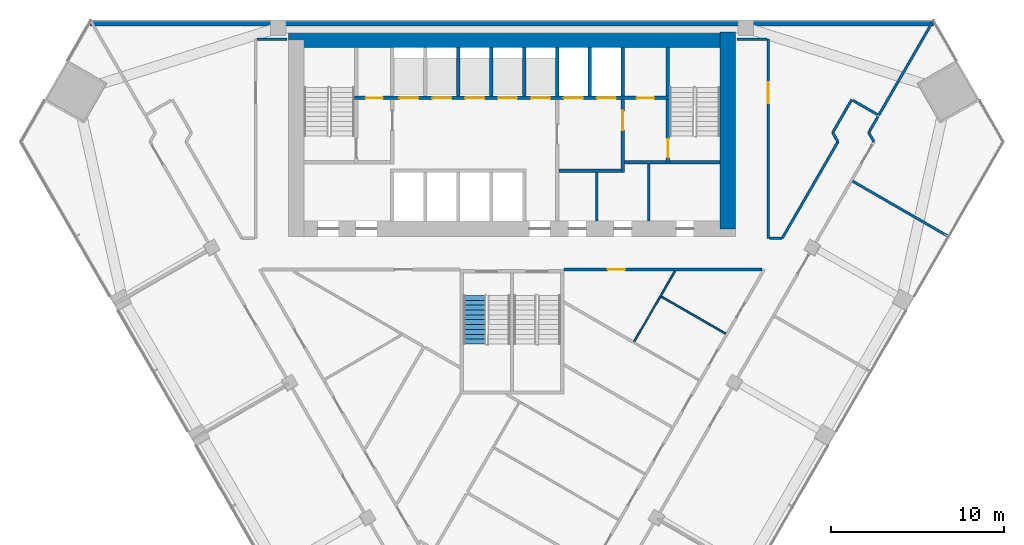
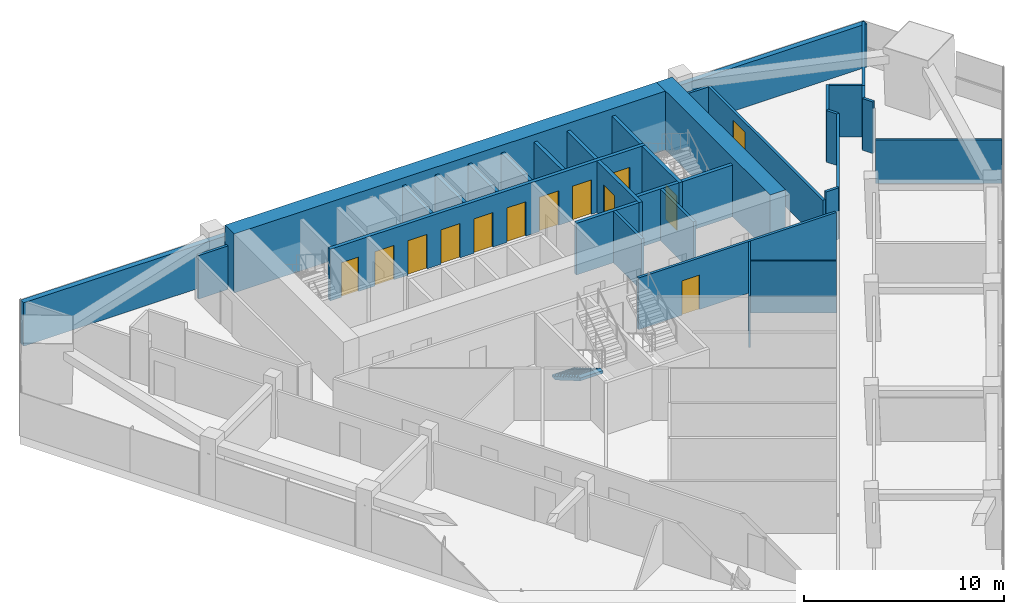
# One storey, part 11 of 14: 33 walls, 13 doors, 1 stair flight, 13 openings, 1 element without a shape of its own.
"""IFC4 building model written with IfcOpenShell, lengths in metres."""

from ifc_helpers import new_model, si_unit, direction, frame, frame_2d, origin, place, context, subcontext, project, spatial, polyline, rectangle, outline, extrude, material, layer, layer_set, type_object, element, fill, aggregate, save


model = new_model("IFC4")

# Units and contexts
model_context = context("Model", 3, precision=1e-05, world=origin(), true_north=direction((0.0, 1.0)))
body_context = subcontext(model_context, "Body", "Model", "MODEL_VIEW")
ifc_project = project(units=[si_unit("LENGTHUNIT", "METRE"), si_unit("AREAUNIT", "SQUARE_METRE"), si_unit("VOLUMEUNIT", "CUBIC_METRE"), si_unit("PLANEANGLEUNIT", "RADIAN"), si_unit("MASSUNIT", "GRAM", prefix="KILO")], contexts=[model_context])

# Site, building, storey
site_placement = place(None, origin())
site = spatial("IfcSite", under=ifc_project, at=site_placement, CompositionType="ELEMENT")
building_placement = place(site_placement, origin())
building = spatial("IfcBuilding", under=site, at=building_placement, Name="Altiplano Prism Tower", CompositionType="ELEMENT")
storey_placement = place(building_placement, frame((0.0, 0.0, 115.199951171875)))
storey = spatial("IfcBuildingStorey", under=building, at=storey_placement, Name="L29", CompositionType="ELEMENT", Elevation=115.199951171875)

# Walls
ifc_material_1 = material(Name="Concrete C70/85", Category="concrete")
ifc_layer_1 = layer(ifc_material_1, 0.89990234375)
ifc_layer_set_1 = layer_set([ifc_layer_1], Name="Concrete C70/85")
wall_type_1 = type_object("IfcWallType", Name="Core wall 900", PredefinedType="SHEAR", material=ifc_layer_set_1)
wall_1_placement = place(storey_placement, frame((97.449951171875, 92.949951171875, 0.0), z_axis=(0.0, 0.0, 1.0), x_axis=(0.0, 1.0, 0.0)))
element("IfcWall", 1, at=wall_1_placement, inside=storey, type_object=wall_type_1, Name="Core wall E L29", PredefinedType="SHEAR", context=body_context, shape_type="SweptSolid", body=[
    extrude(rectangle(XDim=11.35009765625, YDim=0.89990234375, at=frame_2d((5.675048828125, 0.0))), origin(), (0.0, 0.0, 1.0), 3.60009765625),
])
wall_2_placement = place(storey_placement, frame((97.449951171875, 103.85009765625, 0.0), z_axis=(0.0, 0.0, 1.0), x_axis=(-1.0, 0.0, 0.0)))
element("IfcWall", 2, at=wall_2_placement, inside=storey, type_object=wall_type_1, Name="Core wall N L29", PredefinedType="SHEAR", context=body_context, shape_type="SweptSolid", body=[
    extrude(rectangle(XDim=25.349853515625, YDim=0.89990234375, at=frame_2d((12.6748046875, 0.0))), origin(), (0.0, 0.0, 1.0), 3.60009765625),
])
ifc_material_2 = material(Name="Plasterboard on steel stud", Category="steel")
ifc_layer_2 = layer(ifc_material_2, 0.10009765625)
ifc_layer_set_2 = layer_set([ifc_layer_2], Name="Plasterboard on steel stud")
wall_type_2 = type_object("IfcWallType", Name="Partition 100 wet", PredefinedType="PARTITIONING", material=ifc_layer_set_2)
wall_3_placement = place(storey_placement, frame((93.61279296875, 89.0390625, 0.0), z_axis=(0.0, 0.0, 1.0), x_axis=(0.866011257965, -0.500024500477, 0.0)))
element("IfcWall", 3, at=wall_3_placement, inside=storey, type_object=wall_type_2, Name="Partition P03 L29 026", PredefinedType="PARTITIONING", context=body_context, shape_type="SweptSolid", body=[
    extrude(rectangle(XDim=4.291259765625, YDim=0.10009765625, at=frame_2d((2.1455078125, 0.0))), origin(), (0.0, 0.0, 1.0), 3.150146484375),
])
wall_4_placement = place(storey_placement, frame((94.398193359375, 90.49951171875, 0.0), z_axis=(0.0, 0.0, 1.0), x_axis=(-0.499988433238, -0.866032081755, 0.0)))
element("IfcWall", 4, at=wall_4_placement, inside=storey, type_object=wall_type_2, Name="Partition P03 L29 027", PredefinedType="PARTITIONING", context=body_context, shape_type="SweptSolid", body=[
    extrude(rectangle(XDim=4.74072265625, YDim=0.10009765625, at=frame_2d((2.370361328125, 0.0))), origin(), (0.0, 0.0, 1.0), 3.150146484375),
])

# Wall, opening, door
ifc_layer_3 = layer(ifc_material_2, 0.14990234375)
ifc_layer_set_3 = layer_set([ifc_layer_3], Name="Plasterboard on steel stud")
wall_type_3 = type_object("IfcWallType", Name="Partition 150 corridor", PredefinedType="PARTITIONING", material=ifc_layer_set_3)
wall_5_placement = place(storey_placement, frame((88.0, 90.59912109375, 0.0), z_axis=(0.0, 0.0, 1.0), x_axis=(0.999999996347, 8.5470085e-05, 0.0)))
wall_5 = element("IfcWall", 5, at=wall_5_placement, inside=storey, type_object=wall_type_3, Name="Partition P06 L29 002", PredefinedType="PARTITIONING", context=body_context, shape_type="SweptSolid", body=[
    extrude(rectangle(XDim=11.42578125, YDim=0.14990234375, at=frame_2d((5.712890625, 0.0))), origin(), (0.0, 0.0, 1.0), 3.150146484375),
])
opening_1_placement = place(wall_5_placement, frame((2.52490234375, 0.0, 0.0)))
opening_1 = element("IfcOpeningElement", 6, at=opening_1_placement, cuts=wall_5, Name="Opening D1048", PredefinedType="OPENING", context=body_context, shape_type="SweptSolid", body=[
    extrude(rectangle(XDim=1.0, YDim=2.10009765625, at=frame_2d((0.5, 1.050048828125))), frame((0.0, 0.08544921875, 0.0), z_axis=(0.0, -1.0, 0.0), x_axis=(1.0, 0.0, 0.0)), (0.0, 0.0, 1.0), 0.1708984375),
])
ifc_material_3 = material(Name="Timber", Category="wood")
door_type_1 = type_object("IfcDoorType", Name="Store door 1000 x 2100", OperationType="NOTDEFINED", PredefinedType="NOTDEFINED", material=ifc_material_3)
door_1_placement = place(opening_1_placement, origin())
door_1 = element("IfcDoor", 7, at=door_1_placement, inside=storey, type_object=door_type_1, Name="Door D1048", OperationType="SINGLE_SWING_RIGHT", OverallHeight=2.10009765625, OverallWidth=1.0, PredefinedType="NOTDEFINED", context=body_context, shape_type="SweptSolid", body=[
    extrude(rectangle(XDim=1.0, YDim=2.10009765625, at=frame_2d((0.5, 1.050048828125))), frame((0.0, 0.02490234375, 0.0), z_axis=(0.0, -1.0, 0.0), x_axis=(1.0, 0.0, 0.0)), (0.0, 0.0, 1.0), 0.050048828125),
])
fill(opening_1, door_1)

# Walls
wall_6_placement = place(storey_placement, frame((105.890869140625, 97.972900390625, 0.0), z_axis=(0.0, 0.0, 1.0), x_axis=(-0.499849787464, 0.866112111665, 0.0)))
element("IfcWall", 8, at=wall_6_placement, inside=storey, type_object=wall_type_3, Name="Partition P06 L29 008", PredefinedType="PARTITIONING", context=body_context, shape_type="SweptSolid", body=[
    extrude(rectangle(XDim=0.608642578125, YDim=0.14990234375, at=frame_2d((0.30419921875, 0.0))), origin(), (0.0, 0.0, 1.0), 3.150146484375),
])
wall_7_placement = place(storey_placement, frame((105.586669921875, 98.5, 0.0), z_axis=(0.0, 0.0, 1.0), x_axis=(0.499957341738, 0.866050031143, 0.0)))
element("IfcWall", 9, at=wall_7_placement, inside=storey, type_object=wall_type_3, Name="Partition P06 L29 009", PredefinedType="PARTITIONING", context=body_context, shape_type="SweptSolid", body=[
    extrude(rectangle(XDim=1.07958984375, YDim=0.14990234375, at=frame_2d((0.539794921875, 0.0))), origin(), (0.0, 0.0, 1.0), 3.150146484375),
])
wall_8_placement = place(storey_placement, frame((106.098876953125, 99.53759765625, 0.0), z_axis=(0.0, 0.0, 1.0), x_axis=(-0.866040211805, 0.499974350878, 0.0)))
element("IfcWall", 10, at=wall_8_placement, inside=storey, type_object=wall_type_3, Name="Partition P06 L29 010", PredefinedType="PARTITIONING", context=body_context, shape_type="SweptSolid", body=[
    extrude(rectangle(XDim=1.64990234375, YDim=0.14990234375, at=frame_2d((0.824951171875, 0.0))), origin(), (0.0, 0.0, 1.0), 3.150146484375),
])
wall_9_placement = place(storey_placement, frame((104.60498046875, 100.39990234375, 0.0), z_axis=(0.0, 0.0, 1.0), x_axis=(-0.500005024956, -0.866022502605, 0.0)))
element("IfcWall", 11, at=wall_9_placement, inside=storey, type_object=wall_type_3, Name="Partition P06 L29 011", PredefinedType="PARTITIONING", context=body_context, shape_type="SweptSolid", body=[
    extrude(rectangle(XDim=2.19384765625, YDim=0.14990234375, at=frame_2d((1.096923828125, 0.0))), origin(), (0.0, 0.0, 1.0), 3.150146484375),
])
wall_10_placement = place(storey_placement, frame((103.508056640625, 98.5, 0.0), z_axis=(0.0, 0.0, 1.0), x_axis=(0.50015062987, -0.86593842012, 0.0)))
element("IfcWall", 12, at=wall_10_placement, inside=storey, type_object=wall_type_3, Name="Partition P06 L29 012", PredefinedType="PARTITIONING", context=body_context, shape_type="SweptSolid", body=[
    extrude(rectangle(XDim=0.608642578125, YDim=0.14990234375, at=frame_2d((0.30419921875, 0.0))), origin(), (0.0, 0.0, 1.0), 3.150146484375),
])
wall_11_placement = place(storey_placement, frame((103.8125, 97.972900390625, 0.0), z_axis=(0.0, 0.0, 1.0), x_axis=(-0.499995032058, -0.866028272008, 0.0)))
element("IfcWall", 13, at=wall_11_placement, inside=storey, type_object=wall_type_3, Name="Partition P06 L29 013", PredefinedType="PARTITIONING", context=body_context, shape_type="SweptSolid", body=[
    extrude(rectangle(XDim=6.43505859375, YDim=0.14990234375, at=frame_2d((3.217529296875, 0.0))), origin(), (0.0, 0.0, 1.0), 3.150146484375),
])
wall_12_placement = place(storey_placement, frame((100.594970703125, 92.39990234375, 0.0), z_axis=(0.0, 0.0, 1.0), x_axis=(-1.0, 0.0, 0.0)))
element("IfcWall", 14, at=wall_12_placement, inside=storey, type_object=wall_type_3, Name="Partition P06 L29 014", PredefinedType="PARTITIONING", context=body_context, shape_type="SweptSolid", body=[
    extrude(rectangle(XDim=0.719970703125, YDim=0.14990234375, at=frame_2d((0.35986328125, 0.0))), origin(), (0.0, 0.0, 1.0), 3.150146484375),
])

# Wall, opening, door
wall_13_placement = place(storey_placement, frame((99.800048828125, 92.39990234375, 0.0), z_axis=(0.0, 0.0, 1.0), x_axis=(0.0, 1.0, 0.0)))
wall_13 = element("IfcWall", 15, at=wall_13_placement, inside=storey, type_object=wall_type_3, Name="Partition P06 L29 015", PredefinedType="PARTITIONING", context=body_context, shape_type="SweptSolid", body=[
    extrude(rectangle(XDim=11.5, YDim=0.14990234375, at=frame_2d((5.75, 0.0))), origin(), (0.0, 0.0, 1.0), 2.650146484375),
])
opening_2_placement = place(wall_13_placement, frame((7.804931640625, 0.0, 0.0)))
opening_2 = element("IfcOpeningElement", 16, at=opening_2_placement, cuts=wall_13, Name="Opening D1059", PredefinedType="OPENING", context=body_context, shape_type="SweptSolid", body=[
    extrude(rectangle(XDim=1.199951171875, YDim=2.10009765625, at=frame_2d((0.60009765625, 1.050048828125))), frame((0.0, 0.08544921875, 0.0), z_axis=(0.0, -1.0, 0.0), x_axis=(1.0, 0.0, 0.0)), (0.0, 0.0, 1.0), 0.1708984375),
])
door_type_2 = type_object("IfcDoorType", Name="Shared room door 1200 x 2100", OperationType="NOTDEFINED", PredefinedType="NOTDEFINED", material=ifc_material_3)
door_2_placement = place(opening_2_placement, origin())
door_2 = element("IfcDoor", 17, at=door_2_placement, inside=storey, type_object=door_type_2, Name="Door D1059", OperationType="SINGLE_SWING_LEFT", OverallHeight=2.10009765625, OverallWidth=1.199951171875, PredefinedType="NOTDEFINED", context=body_context, shape_type="SweptSolid", body=[
    extrude(rectangle(XDim=1.199951171875, YDim=2.10009765625, at=frame_2d((0.60009765625, 1.050048828125))), frame((0.0, 0.02490234375, 0.0), z_axis=(0.0, -1.0, 0.0), x_axis=(1.0, 0.0, 0.0)), (0.0, 0.0, 1.0), 0.050048828125),
])
fill(opening_2, door_2)

# Walls
for number, where, z_axis, x_axis, name in (
    (18, (99.72509765625, 103.89990234375, 0.0), (0.0, 0.0, 1.0), (-1.0, 0.0, 0.0), "Partition P06 L29 016"),
    (19, (72.0, 103.89990234375, 0.0), (0.0, 0.0, 1.0), (-1.0, 0.0, 0.0), "Partition P06 L29 017"),
):
    element("IfcWall", number, at=place(storey_placement, frame(where, z_axis=z_axis, x_axis=x_axis)), inside=storey, type_object=wall_type_3, Name=name, PredefinedType="PARTITIONING", context=body_context, shape_type="SweptSolid", body=[
        extrude(rectangle(XDim=1.72509765625, YDim=0.14990234375, at=frame_2d((0.862548828125, 0.0))), origin(), (0.0, 0.0, 1.0), 2.650146484375),
    ])
ifc_layer_4 = layer(ifc_material_2, 0.14990234375)
ifc_layer_set_4 = layer_set([ifc_layer_4], Name="Plasterboard on steel stud")
wall_type_4 = type_object("IfcWallType", Name="Partition 150 party", PredefinedType="PARTITIONING", material=ifc_layer_set_4)
wall_14_placement = place(storey_placement, frame((110.14013671875, 92.532958984375, 0.0), z_axis=(0.0, 0.0, 1.0), x_axis=(-0.866032601554, 0.49998753289, 0.0)))
element("IfcWall", 20, at=wall_14_placement, inside=storey, type_object=wall_type_4, Name="Partition P01 L29 042", PredefinedType="PARTITIONING", context=body_context, shape_type="SweptSolid", body=[
    extrude(rectangle(XDim=6.324951171875, YDim=0.14990234375, at=frame_2d((3.16259765625, 0.0))), origin(), (0.0, 0.0, 1.0), 2.650146484375),
])
wall_15_placement = place(storey_placement, frame((109.281494140625, 104.89990234375, 0.0), z_axis=(0.0, 0.0, 1.0), x_axis=(-0.500004896655, -0.866022576681, 0.0)))
element("IfcWall", 21, at=wall_15_placement, inside=storey, type_object=wall_type_4, Name="Partition P01 L29 043", PredefinedType="PARTITIONING", context=body_context, shape_type="SweptSolid", body=[
    extrude(rectangle(XDim=6.2353515625, YDim=0.14990234375, at=frame_2d((3.11767578125, 0.0))), origin(), (0.0, 0.0, 1.0), 2.650146484375),
])
ifc_material_4 = material(Name="Fire-rated gypsum board partition")
ifc_layer_5 = layer(ifc_material_4, 0.14990234375)
ifc_layer_set_5 = layer_set([ifc_layer_5], Name="Fire-rated gypsum board partition")
wall_type_5 = type_object("IfcWallType", Name="Room partition 150", PredefinedType="PARTITIONING", material=ifc_layer_set_5)
wall_16_placement = place(storey_placement, frame((89.89990234375, 93.39990234375, 0.0), z_axis=(0.0, 0.0, 1.0), x_axis=(0.0, 1.0, 0.0)))
element("IfcWall", 22, at=wall_16_placement, inside=storey, type_object=wall_type_5, Name="Room partition L29", PredefinedType="PARTITIONING", context=body_context, shape_type="SweptSolid", body=[
    extrude(rectangle(XDim=2.800048828125, YDim=0.14990234375, at=frame_2d((1.39990234375, 0.0))), origin(), (0.0, 0.0, 1.0), 3.150146484375),
])
wall_17_placement = place(storey_placement, frame((92.89990234375, 93.39990234375, 0.0), z_axis=(0.0, 0.0, 1.0), x_axis=(0.0, 1.0, 0.0)))
element("IfcWall", 23, at=wall_17_placement, inside=storey, type_object=wall_type_5, Name="Room partition L29", PredefinedType="PARTITIONING", context=body_context, shape_type="SweptSolid", body=[
    extrude(rectangle(XDim=3.300048828125, YDim=0.14990234375, at=frame_2d((1.64990234375, 0.0))), origin(), (0.0, 0.0, 1.0), 3.150146484375),
])
ifc_material_5 = material(Name="Concrete C60/75", Category="concrete")
ifc_layer_6 = layer(ifc_material_5, 0.199951171875)
ifc_layer_set_6 = layer_set([ifc_layer_6], Name="Concrete C60/75")
wall_type_6 = type_object("IfcWallType", Name="Shaft wall 200", PredefinedType="SOLIDWALL", material=ifc_layer_set_6)
for number, where, z_axis, x_axis, name in (
    (24, (81.89990234375, 100.60009765625, 0.0), (0.0, 0.0, 1.0), (0.0, 1.0, 0.0), "Shaft wall L29"),
    (25, (83.800048828125, 100.60009765625, 0.0), (0.0, 0.0, 1.0), (0.0, 1.0, 0.0), "Shaft wall L29"),
    (26, (85.699951171875, 100.60009765625, 0.0), (0.0, 0.0, 1.0), (0.0, 1.0, 0.0), "Shaft wall L29"),
    (27, (87.60009765625, 100.60009765625, 0.0), (0.0, 0.0, 1.0), (0.0, 1.0, 0.0), "Shaft wall L29"),
    (28, (89.5, 100.60009765625, 0.0), (0.0, 0.0, 1.0), (0.0, 1.0, 0.0), "Shaft wall L29"),
    (29, (91.39990234375, 100.60009765625, 0.0), (0.0, 0.0, 1.0), (0.0, 1.0, 0.0), "Shaft wall L29"),
):
    element("IfcWall", number, at=place(storey_placement, frame(where, z_axis=z_axis, x_axis=x_axis)), inside=storey, type_object=wall_type_6, Name=name, PredefinedType="SOLIDWALL", context=body_context, shape_type="SweptSolid", body=[
        extrude(rectangle(XDim=2.7998046875, YDim=0.199951171875, at=frame_2d((1.39990234375, 0.0))), origin(), (0.0, 0.0, 1.0), 3.150146484375),
    ])

# Wall, opening, door
ifc_layer_7 = layer(ifc_material_5, 0.199951171875)
ifc_layer_set_7 = layer_set([ifc_layer_7], Name="Concrete C60/75")
wall_type_7 = type_object("IfcWallType", Name="Stair wall 200", PredefinedType="SOLIDWALL", material=ifc_layer_set_7)
wall_18_placement = place(storey_placement, frame((94.0, 96.699951171875, 0.0), z_axis=(0.0, 0.0, 1.0), x_axis=(0.0, 1.0, 0.0)))
wall_18 = element("IfcWall", 30, at=wall_18_placement, inside=storey, type_object=wall_type_7, Name="Stair wall L29", PredefinedType="SOLIDWALL", context=body_context, shape_type="SweptSolid", body=[
    extrude(rectangle(XDim=3.699951171875, YDim=0.199951171875, at=frame_2d((1.85009765625, 0.0))), origin(), (0.0, 0.0, 1.0), 3.150146484375),
])
opening_3_placement = place(wall_18_placement, frame((0.35009765625, 0.0, 0.0)))
opening_3 = element("IfcOpeningElement", 31, at=opening_3_placement, cuts=wall_18, Name="Opening D2973", PredefinedType="OPENING", context=body_context, shape_type="SweptSolid", body=[
    extrude(rectangle(XDim=1.10009765625, YDim=2.10009765625, at=frame_2d((0.550048828125, 1.050048828125))), frame((0.0, 0.1103515625, 0.0), z_axis=(0.0, -1.0, 0.0), x_axis=(1.0, 0.0, 0.0)), (0.0, 0.0, 1.0), 0.220947265625),
])
ifc_material_6 = material(Name="Fire-rated steel door", Category="steel")
door_type_3 = type_object("IfcDoorType", Name="Stair fire door 1100 x 2100", OperationType="NOTDEFINED", PredefinedType="NOTDEFINED", material=ifc_material_6)
door_3_placement = place(opening_3_placement, origin())
door_3 = element("IfcDoor", 32, at=door_3_placement, inside=storey, type_object=door_type_3, Name="Stair fire door D2973", OperationType="SINGLE_SWING_LEFT", OverallHeight=2.10009765625, OverallWidth=1.10009765625, PredefinedType="NOTDEFINED", context=body_context, shape_type="SweptSolid", body=[
    extrude(rectangle(XDim=1.10009765625, YDim=2.10009765625, at=frame_2d((0.550048828125, 1.050048828125))), frame((0.0, 0.02490234375, 0.0), z_axis=(0.0, -1.0, 0.0), x_axis=(1.0, 0.0, 0.0)), (0.0, 0.0, 1.0), 0.050048828125),
])
fill(opening_3, door_3)

# Wall
wall_19_placement = place(storey_placement, frame((94.10009765625, 96.800048828125, 0.0), z_axis=(0.0, 0.0, 1.0), x_axis=(1.0, 0.0, 0.0)))
element("IfcWall", 33, at=wall_19_placement, inside=storey, type_object=wall_type_7, Name="Stair wall L29", PredefinedType="SOLIDWALL", context=body_context, shape_type="SweptSolid", body=[
    extrude(rectangle(XDim=2.89990234375, YDim=0.199951171875, at=frame_2d((1.449951171875, 0.0))), origin(), (0.0, 0.0, 1.0), 3.150146484375),
])

# Wall, openings, doors
wall_20_placement = place(storey_placement, frame((75.89990234375, 100.5, 0.0), z_axis=(0.0, 0.0, 1.0), x_axis=(1.0, 0.0, 0.0)))
wall_20 = element("IfcWall", 34, at=wall_20_placement, inside=storey, type_object=wall_type_7, Name="Stair wall L29", PredefinedType="SOLIDWALL", context=body_context, shape_type="SweptSolid", body=[
    extrude(rectangle(XDim=18.2001953125, YDim=0.199951171875, at=frame_2d((9.10009765625, 0.0))), origin(), (0.0, 0.0, 1.0), 3.150146484375),
])
opening_4_placement = place(wall_20_placement, frame((2.60009765625, 0.0, 0.0)))
opening_4 = element("IfcOpeningElement", 35, at=opening_4_placement, cuts=wall_20, Name="Opening LD-LL1-L29", PredefinedType="OPENING", context=body_context, shape_type="SweptSolid", body=[
    extrude(rectangle(XDim=1.10009765625, YDim=2.10009765625, at=frame_2d((0.550048828125, 1.050048828125))), frame((0.0, 0.1103515625, 0.0), z_axis=(0.0, -1.0, 0.0), x_axis=(1.0, 0.0, 0.0)), (0.0, 0.0, 1.0), 0.220947265625),
])
opening_5_placement = place(wall_20_placement, frame((4.5, 0.0, 0.0)))
opening_5 = element("IfcOpeningElement", 36, at=opening_5_placement, cuts=wall_20, Name="Opening LD-LL2-L29", PredefinedType="OPENING", context=body_context, shape_type="SweptSolid", body=[
    extrude(rectangle(XDim=1.10009765625, YDim=2.10009765625, at=frame_2d((0.550048828125, 1.050048828125))), frame((0.0, 0.1103515625, 0.0), z_axis=(0.0, -1.0, 0.0), x_axis=(1.0, 0.0, 0.0)), (0.0, 0.0, 1.0), 0.220947265625),
])
opening_6_placement = place(wall_20_placement, frame((6.39990234375, 0.0, 0.0)))
opening_6 = element("IfcOpeningElement", 37, at=opening_6_placement, cuts=wall_20, Name="Opening LD-LL3-L29", PredefinedType="OPENING", context=body_context, shape_type="SweptSolid", body=[
    extrude(rectangle(XDim=1.10009765625, YDim=2.10009765625, at=frame_2d((0.550048828125, 1.050048828125))), frame((0.0, 0.1103515625, 0.0), z_axis=(0.0, -1.0, 0.0), x_axis=(1.0, 0.0, 0.0)), (0.0, 0.0, 1.0), 0.220947265625),
])
opening_7_placement = place(wall_20_placement, frame((8.300048828125, 0.0, 0.0)))
opening_7 = element("IfcOpeningElement", 38, at=opening_7_placement, cuts=wall_20, Name="Opening LD-LL4-L29", PredefinedType="OPENING", context=body_context, shape_type="SweptSolid", body=[
    extrude(rectangle(XDim=1.10009765625, YDim=2.10009765625, at=frame_2d((0.550048828125, 1.050048828125))), frame((0.0, 0.1103515625, 0.0), z_axis=(0.0, -1.0, 0.0), x_axis=(1.0, 0.0, 0.0)), (0.0, 0.0, 1.0), 0.220947265625),
])
opening_8_placement = place(wall_20_placement, frame((10.199951171875, 0.0, 0.0)))
opening_8 = element("IfcOpeningElement", 39, at=opening_8_placement, cuts=wall_20, Name="Opening LD-LL5-L29", PredefinedType="OPENING", context=body_context, shape_type="SweptSolid", body=[
    extrude(rectangle(XDim=1.10009765625, YDim=2.10009765625, at=frame_2d((0.550048828125, 1.050048828125))), frame((0.0, 0.1103515625, 0.0), z_axis=(0.0, -1.0, 0.0), x_axis=(1.0, 0.0, 0.0)), (0.0, 0.0, 1.0), 0.220947265625),
])
opening_9_placement = place(wall_20_placement, frame((12.10009765625, 0.0, 0.0)))
opening_9 = element("IfcOpeningElement", 40, at=opening_9_placement, cuts=wall_20, Name="Opening LD-FF1-L29", PredefinedType="OPENING", context=body_context, shape_type="SweptSolid", body=[
    extrude(rectangle(XDim=1.10009765625, YDim=2.10009765625, at=frame_2d((0.550048828125, 1.050048828125))), frame((0.0, 0.1103515625, 0.0), z_axis=(0.0, -1.0, 0.0), x_axis=(1.0, 0.0, 0.0)), (0.0, 0.0, 1.0), 0.220947265625),
])
opening_10_placement = place(wall_20_placement, frame((14.0, 0.0, 0.0)))
opening_10 = element("IfcOpeningElement", 41, at=opening_10_placement, cuts=wall_20, Name="Opening LD-FF2-L29", PredefinedType="OPENING", context=body_context, shape_type="SweptSolid", body=[
    extrude(rectangle(XDim=1.10009765625, YDim=2.10009765625, at=frame_2d((0.550048828125, 1.050048828125))), frame((0.0, 0.1103515625, 0.0), z_axis=(0.0, -1.0, 0.0), x_axis=(1.0, 0.0, 0.0)), (0.0, 0.0, 1.0), 0.220947265625),
])
opening_11_placement = place(wall_20_placement, frame((0.64990234375, 0.0, 0.0)))
opening_11 = element("IfcOpeningElement", 42, at=opening_11_placement, cuts=wall_20, Name="Opening D2980", PredefinedType="OPENING", context=body_context, shape_type="SweptSolid", body=[
    extrude(rectangle(XDim=1.0, YDim=2.10009765625, at=frame_2d((0.5, 1.050048828125))), frame((0.0, 0.1103515625, 0.0), z_axis=(0.0, -1.0, 0.0), x_axis=(1.0, 0.0, 0.0)), (0.0, 0.0, 1.0), 0.220947265625),
])
opening_12_placement = place(wall_20_placement, frame((16.300048828125, 0.0, 0.0)))
opening_12 = element("IfcOpeningElement", 43, at=opening_12_placement, cuts=wall_20, Name="Opening D2981", PredefinedType="OPENING", context=body_context, shape_type="SweptSolid", body=[
    extrude(rectangle(XDim=1.0, YDim=2.10009765625, at=frame_2d((0.5, 1.050048828125))), frame((0.0, 0.1103515625, 0.0), z_axis=(0.0, -1.0, 0.0), x_axis=(1.0, 0.0, 0.0)), (0.0, 0.0, 1.0), 0.220947265625),
])
door_type_4 = type_object("IfcDoorType", Name="Core room door 1000 x 2100", OperationType="NOTDEFINED", PredefinedType="NOTDEFINED", material=ifc_material_6)
door_4_placement = place(opening_11_placement, origin())
door_4 = element("IfcDoor", 44, at=door_4_placement, inside=storey, type_object=door_type_4, Name="Core room door D2980", OperationType="SINGLE_SWING_LEFT", OverallHeight=2.10009765625, OverallWidth=1.0, PredefinedType="NOTDEFINED", context=body_context, shape_type="SweptSolid", body=[
    extrude(rectangle(XDim=1.0, YDim=2.10009765625, at=frame_2d((0.5, 1.050048828125))), frame((0.0, 0.02490234375, 0.0), z_axis=(0.0, -1.0, 0.0), x_axis=(1.0, 0.0, 0.0)), (0.0, 0.0, 1.0), 0.050048828125),
])
fill(opening_11, door_4)
door_5_placement = place(opening_12_placement, origin())
door_5 = element("IfcDoor", 45, at=door_5_placement, inside=storey, type_object=door_type_4, Name="Core room door D2981", OperationType="SINGLE_SWING_RIGHT", OverallHeight=2.10009765625, OverallWidth=1.0, PredefinedType="NOTDEFINED", context=body_context, shape_type="SweptSolid", body=[
    extrude(rectangle(XDim=1.0, YDim=2.10009765625, at=frame_2d((0.5, 1.050048828125))), frame((0.0, 0.02490234375, 0.0), z_axis=(0.0, -1.0, 0.0), x_axis=(1.0, 0.0, 0.0)), (0.0, 0.0, 1.0), 0.050048828125),
])
fill(opening_12, door_5)
ifc_material_7 = material(Name="Stainless steel landing door", Category="steel")
door_type_5 = type_object("IfcDoorType", Name="Landing door 1100 x 2100", OperationType="NOTDEFINED", PredefinedType="NOTDEFINED", material=ifc_material_7)
door_6_placement = place(opening_4_placement, origin())
door_6 = element("IfcDoor", 46, at=door_6_placement, inside=storey, type_object=door_type_5, Name="Landing doors LL1", OperationType="SLIDING_TO_RIGHT", OverallHeight=2.10009765625, OverallWidth=1.10009765625, PredefinedType="NOTDEFINED", context=body_context, shape_type="SweptSolid", body=[
    extrude(rectangle(XDim=1.10009765625, YDim=2.10009765625, at=frame_2d((0.550048828125, 1.050048828125))), frame((0.0, 0.02490234375, 0.0), z_axis=(0.0, -1.0, 0.0), x_axis=(1.0, 0.0, 0.0)), (0.0, 0.0, 1.0), 0.050048828125),
])
fill(opening_4, door_6)
door_7_placement = place(opening_5_placement, origin())
door_7 = element("IfcDoor", 47, at=door_7_placement, inside=storey, type_object=door_type_5, Name="Landing doors LL2", OperationType="SLIDING_TO_LEFT", OverallHeight=2.10009765625, OverallWidth=1.10009765625, PredefinedType="NOTDEFINED", context=body_context, shape_type="SweptSolid", body=[
    extrude(rectangle(XDim=1.10009765625, YDim=2.10009765625, at=frame_2d((0.550048828125, 1.050048828125))), frame((0.0, 0.02490234375, 0.0), z_axis=(0.0, -1.0, 0.0), x_axis=(1.0, 0.0, 0.0)), (0.0, 0.0, 1.0), 0.050048828125),
])
fill(opening_5, door_7)
door_8_placement = place(opening_6_placement, origin())
door_8 = element("IfcDoor", 48, at=door_8_placement, inside=storey, type_object=door_type_5, Name="Landing doors LL3", OperationType="SLIDING_TO_RIGHT", OverallHeight=2.10009765625, OverallWidth=1.10009765625, PredefinedType="NOTDEFINED", context=body_context, shape_type="SweptSolid", body=[
    extrude(rectangle(XDim=1.10009765625, YDim=2.10009765625, at=frame_2d((0.550048828125, 1.050048828125))), frame((0.0, 0.02490234375, 0.0), z_axis=(0.0, -1.0, 0.0), x_axis=(1.0, 0.0, 0.0)), (0.0, 0.0, 1.0), 0.050048828125),
])
fill(opening_6, door_8)
door_9_placement = place(opening_7_placement, origin())
door_9 = element("IfcDoor", 49, at=door_9_placement, inside=storey, type_object=door_type_5, Name="Landing doors LL4", OperationType="SLIDING_TO_LEFT", OverallHeight=2.10009765625, OverallWidth=1.10009765625, PredefinedType="NOTDEFINED", context=body_context, shape_type="SweptSolid", body=[
    extrude(rectangle(XDim=1.10009765625, YDim=2.10009765625, at=frame_2d((0.550048828125, 1.050048828125))), frame((0.0, 0.02490234375, 0.0), z_axis=(0.0, -1.0, 0.0), x_axis=(1.0, 0.0, 0.0)), (0.0, 0.0, 1.0), 0.050048828125),
])
fill(opening_7, door_9)
door_10_placement = place(opening_8_placement, origin())
door_10 = element("IfcDoor", 50, at=door_10_placement, inside=storey, type_object=door_type_5, Name="Landing doors LL5", OperationType="SLIDING_TO_RIGHT", OverallHeight=2.10009765625, OverallWidth=1.10009765625, PredefinedType="NOTDEFINED", context=body_context, shape_type="SweptSolid", body=[
    extrude(rectangle(XDim=1.10009765625, YDim=2.10009765625, at=frame_2d((0.550048828125, 1.050048828125))), frame((0.0, 0.02490234375, 0.0), z_axis=(0.0, -1.0, 0.0), x_axis=(1.0, 0.0, 0.0)), (0.0, 0.0, 1.0), 0.050048828125),
])
fill(opening_8, door_10)
door_11_placement = place(opening_9_placement, origin())
door_11 = element("IfcDoor", 51, at=door_11_placement, inside=storey, type_object=door_type_5, Name="Landing doors FF1", OperationType="SLIDING_TO_RIGHT", OverallHeight=2.10009765625, OverallWidth=1.10009765625, PredefinedType="NOTDEFINED", context=body_context, shape_type="SweptSolid", body=[
    extrude(rectangle(XDim=1.10009765625, YDim=2.10009765625, at=frame_2d((0.550048828125, 1.050048828125))), frame((0.0, 0.02490234375, 0.0), z_axis=(0.0, -1.0, 0.0), x_axis=(1.0, 0.0, 0.0)), (0.0, 0.0, 1.0), 0.050048828125),
])
fill(opening_9, door_11)
door_12_placement = place(opening_10_placement, origin())
door_12 = element("IfcDoor", 52, at=door_12_placement, inside=storey, type_object=door_type_5, Name="Landing doors FF2", OperationType="SLIDING_TO_LEFT", OverallHeight=2.10009765625, OverallWidth=1.10009765625, PredefinedType="NOTDEFINED", context=body_context, shape_type="SweptSolid", body=[
    extrude(rectangle(XDim=1.10009765625, YDim=2.10009765625, at=frame_2d((0.550048828125, 1.050048828125))), frame((0.0, 0.02490234375, 0.0), z_axis=(0.0, -1.0, 0.0), x_axis=(1.0, 0.0, 0.0)), (0.0, 0.0, 1.0), 0.050048828125),
])
fill(opening_10, door_12)

# Walls
wall_21_placement = place(storey_placement, frame((94.0, 100.60009765625, 0.0), z_axis=(0.0, 0.0, 1.0), x_axis=(0.0, 1.0, 0.0)))
element("IfcWall", 53, at=wall_21_placement, inside=storey, type_object=wall_type_7, Name="Stair wall L29", PredefinedType="SOLIDWALL", context=body_context, shape_type="SweptSolid", body=[
    extrude(rectangle(XDim=2.7998046875, YDim=0.199951171875, at=frame_2d((1.39990234375, 0.0))), origin(), (0.0, 0.0, 1.0), 3.150146484375),
])
ifc_material_8 = material(Name="Concrete C40", Category="concrete")
ifc_layer_8 = layer(ifc_material_8, 0.300048828125)
ifc_layer_set_8 = layer_set([ifc_layer_8], Name="Concrete C40")
wall_type_8 = type_object("IfcWallType", Name="Stone-clad external wall 300", PredefinedType="SOLIDWALL", material=ifc_layer_set_8)
wall_22_placement = place(storey_placement, frame((60.66064453125, 104.7900390625, 0.0), z_axis=(0.0, 0.0, 1.0), x_axis=(1.0, 0.0, 0.0)))
element("IfcWall", 54, at=wall_22_placement, inside=storey, type_object=wall_type_8, Name="External wall north face L29", PredefinedType="SOLIDWALL", context=body_context, shape_type="SweptSolid", body=[
    extrude(rectangle(XDim=48.6787109375, YDim=0.300048828125, at=frame_2d((24.33935546875, 0.0))), origin(), (0.0, 0.0, 1.0), 2.650146484375),
])
ifc_layer_9 = layer(ifc_material_5, 0.199951171875)
ifc_layer_set_9 = layer_set([ifc_layer_9], Name="Concrete C60/75")
wall_type_9 = type_object("IfcWallType", Name="Vestibule wall 200", PredefinedType="PARTITIONING", material=ifc_layer_set_9)
wall_23_placement = place(storey_placement, frame((87.699951171875, 96.300048828125, 0.0), z_axis=(0.0, 0.0, 1.0), x_axis=(1.0, 0.0, 0.0)))
element("IfcWall", 55, at=wall_23_placement, inside=storey, type_object=wall_type_9, Name="Vestibule wall L29", PredefinedType="PARTITIONING", context=body_context, shape_type="SweptSolid", body=[
    extrude(rectangle(XDim=3.60009765625, YDim=0.199951171875, at=frame_2d((1.800048828125, 0.0))), origin(), (0.0, 0.0, 1.0), 3.150146484375),
])

# Wall, opening, door
wall_24_placement = place(storey_placement, frame((91.39990234375, 96.199951171875, 0.0), z_axis=(0.0, 0.0, 1.0), x_axis=(0.0, 1.0, 0.0)))
wall_24 = element("IfcWall", 56, at=wall_24_placement, inside=storey, type_object=wall_type_9, Name="Vestibule wall L29", PredefinedType="PARTITIONING", context=body_context, shape_type="SweptSolid", body=[
    extrude(rectangle(XDim=4.199951171875, YDim=0.199951171875, at=frame_2d((2.10009765625, 0.0))), origin(), (0.0, 0.0, 1.0), 3.150146484375),
])
opening_13_placement = place(wall_24_placement, frame((2.449951171875, 0.0, 0.0)))
opening_13 = element("IfcOpeningElement", 57, at=opening_13_placement, cuts=wall_24, Name="Opening D2976", PredefinedType="OPENING", context=body_context, shape_type="SweptSolid", body=[
    extrude(rectangle(XDim=1.10009765625, YDim=2.10009765625, at=frame_2d((0.550048828125, 1.050048828125))), frame((0.0, 0.1103515625, 0.0), z_axis=(0.0, -1.0, 0.0), x_axis=(1.0, 0.0, 0.0)), (0.0, 0.0, 1.0), 0.220947265625),
])
door_type_6 = type_object("IfcDoorType", Name="Vestibule fire door 1100 x 2100", OperationType="NOTDEFINED", PredefinedType="NOTDEFINED", material=ifc_material_6)
door_13_placement = place(opening_13_placement, origin())
door_13 = element("IfcDoor", 58, at=door_13_placement, inside=storey, type_object=door_type_6, Name="Vestibule fire door D2976", OperationType="SINGLE_SWING_LEFT", OverallHeight=2.10009765625, OverallWidth=1.10009765625, PredefinedType="NOTDEFINED", context=body_context, shape_type="SweptSolid", body=[
    extrude(rectangle(XDim=1.10009765625, YDim=2.10009765625, at=frame_2d((0.550048828125, 1.050048828125))), frame((0.0, 0.02490234375, 0.0), z_axis=(0.0, -1.0, 0.0), x_axis=(1.0, 0.0, 0.0)), (0.0, 0.0, 1.0), 0.050048828125),
])
fill(opening_13, door_13)

# Wall
wall_25_placement = place(storey_placement, frame((91.5, 96.800048828125, 0.0), z_axis=(0.0, 0.0, 1.0), x_axis=(1.0, 0.0, 0.0)))
element("IfcWall", 59, at=wall_25_placement, inside=storey, type_object=wall_type_9, Name="Vestibule wall L29", PredefinedType="PARTITIONING", context=body_context, shape_type="SweptSolid", body=[
    extrude(rectangle(XDim=2.39990234375, YDim=0.199951171875, at=frame_2d((1.199951171875, 0.0))), origin(), (0.0, 0.0, 1.0), 3.150146484375),
])

# Stair, stair flight
ifc_material_9 = material(Name="Concrete C40/50", Category="concrete")
stair_type = type_object("IfcStairType", Name="Exit stair 1300", PredefinedType="HALF_TURN_STAIR", material=ifc_material_9)
stair_placement = place(storey_placement, origin())
stair = element("IfcStair", 60, at=stair_placement, inside=storey, type_object=stair_type, Name="L29 Exit Stair 3A", PredefinedType="HALF_TURN_STAIR")
stair_flight_type = type_object("IfcStairFlightType", Name="Stair flight concrete 150", PredefinedType="STRAIGHT", material=ifc_material_9)
stair_flight_placement = place(storey_placement, frame((82.85009765625, 89.10009765625, 0.0), z_axis=(0.0, 0.0, 1.0), x_axis=(0.0, -1.0, 0.0)))
stair_flight = element("IfcStairFlight", 61, at=stair_flight_placement, type_object=stair_flight_type, Name="ST3A flight 1", NumberOfRisers=11, NumberOfTreads=10, PredefinedType="STRAIGHT", RiserHeight=0.163636364, TreadLength=0.28, context=body_context, shape_type="SweptSolid", body=[
    extrude(outline(polyline([(0.0, 0.0), (0.0, 0.16357421875), (0.280029296875, 0.16357421875), (0.280029296875, 0.327392578125), (0.56005859375, 0.327392578125), (0.56005859375, 0.490966796875), (0.840087890625, 0.490966796875), (0.840087890625, 0.654541015625), (1.1201171875, 0.654541015625), (1.1201171875, 0.818115234375), (1.39990234375, 0.818115234375), (1.39990234375, 0.98193359375), (1.679931640625, 0.98193359375), (1.679931640625, 1.1455078125), (1.9599609375, 1.1455078125), (1.9599609375, 1.30908203125), (2.239990234375, 1.30908203125), (2.239990234375, 1.47265625), (2.52001953125, 1.47265625), (2.52001953125, 1.636474609375), (2.800048828125, 1.636474609375), (2.800048828125, 1.800048828125), (2.800048828125, 1.462646484375), (0.297119140625, 0.0), (0.0, 0.0)])), frame((0.0, 0.64990234375, 0.0), z_axis=(0.0, -1.0, 0.0), x_axis=(1.0, 0.0, 0.0)), (0.0, 0.0, 1.0), 1.300048828125),
])
aggregate(stair, [stair_flight])

save(model, "model.ifc")
